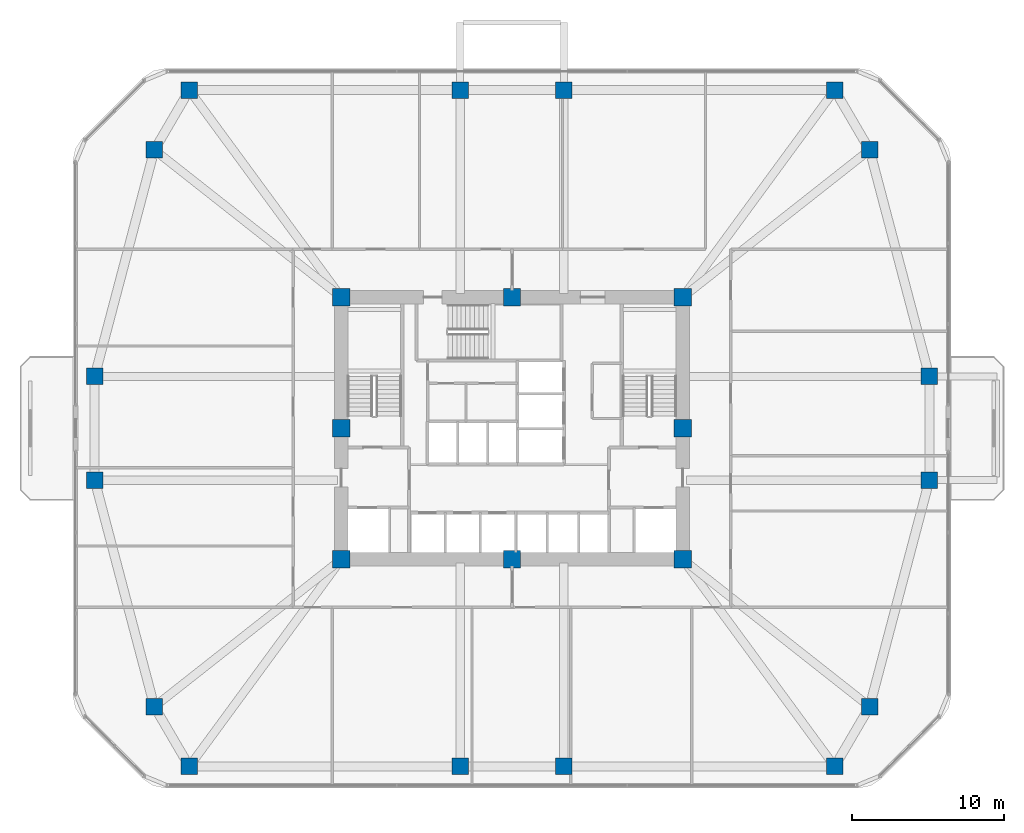
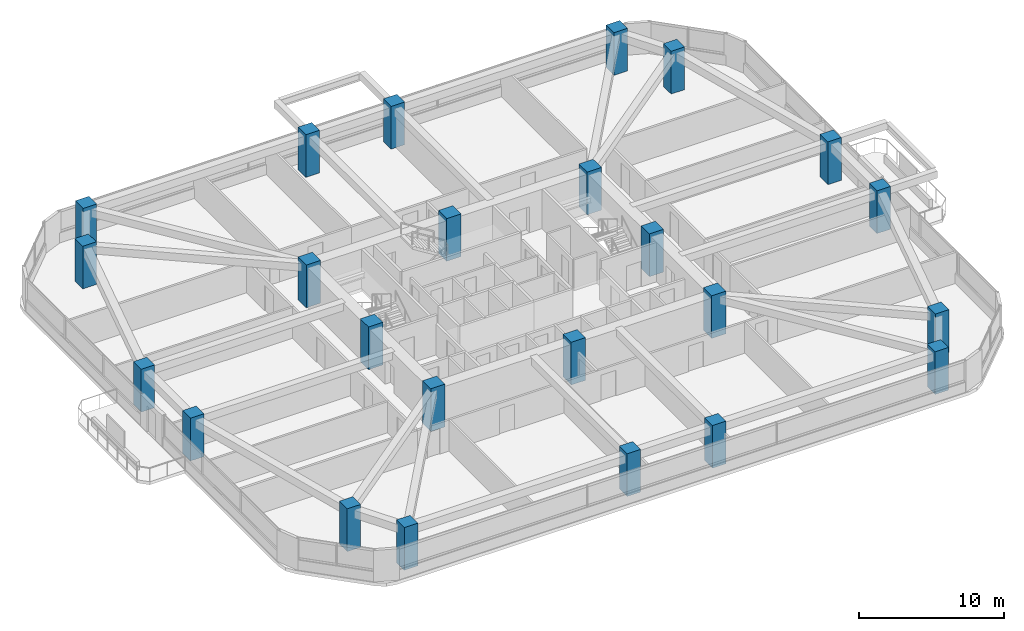
# One storey, part 1 of 15: 24 columns.
"""IFC4 building model written with IfcOpenShell, lengths in metres."""

from ifc_helpers import new_model, si_unit, derived_unit, direction, frame, origin, origin_2d, place, context, subcontext, project, spatial, rectangle, extrude, material, material_profile, profile_set, type_object, element, save


model = new_model("IFC4")

# Units and contexts
model_context = context("Model", 3, precision=1e-05, world=origin(), true_north=direction((0.0, 1.0)))
body_context = subcontext(model_context, "Body", "Model", "MODEL_VIEW")
ifc_project = project(units=[si_unit("LENGTHUNIT", "METRE"), si_unit("AREAUNIT", "SQUARE_METRE"), si_unit("VOLUMEUNIT", "CUBIC_METRE"), si_unit("PLANEANGLEUNIT", "RADIAN"), si_unit("MASSUNIT", "GRAM", prefix="KILO"), derived_unit("THERMALTRANSMITTANCEUNIT", [(si_unit("POWERUNIT", "WATT"), 1), (si_unit("LENGTHUNIT", "METRE"), -2), (si_unit("THERMODYNAMICTEMPERATUREUNIT", "KELVIN"), -1)])], contexts=[model_context])

# Site, building, storey
site_placement = place(None, origin())
site = spatial("IfcSite", under=ifc_project, at=site_placement, CompositionType="ELEMENT")
building_placement = place(site_placement, origin())
building = spatial("IfcBuilding", under=site, at=building_placement, Name="Koralith Skygarden Medical Center", CompositionType="ELEMENT")
storey_placement = place(building_placement, frame((0.0, 0.0, 56.340087890625)))
storey = spatial("IfcBuildingStorey", under=building, at=storey_placement, Name="L14", CompositionType="ELEMENT", Elevation=56.340087890625)

# Columns
ifc_material = material(Name="Concrete C70/85", Category="concrete")
ifc_material_profile_1 = material_profile(ifc_material, rectangle(XDim=1.139892578125, YDim=1.139892578125, at=origin_2d()), Name="RC1140X1140")
ifc_profile_set_1 = profile_set([ifc_material_profile_1], Name="Concrete C70/85")
column_type_1 = type_object("IfcColumnType", Name="Core Mega-Column C70 RC1140", PredefinedType="COLUMN", material=ifc_profile_set_1)
for number, where, z_axis, x_axis, name in (
    (1, (25.800048828125, 17.300048828125, 0.0), (0.0, 0.0, 1.0), (1.0, 0.0, 0.0), "L14 Core Column CC-01"),
    (2, (37.0, 17.300048828125, 0.0), (0.0, 0.0, 1.0), (1.0, 0.0, 0.0), "L14 Core Column CC-02"),
    (3, (48.199951171875, 17.300048828125, 0.0), (0.0, 0.0, 1.0), (1.0, 0.0, 0.0), "L14 Core Column CC-03"),
    (4, (48.199951171875, 25.89990234375, 0.0), (0.0, 0.0, 1.0), (1.0, 0.0, 0.0), "L14 Core Column CC-04"),
    (5, (48.199951171875, 34.5, 0.0), (0.0, 0.0, 1.0), (1.0, 0.0, 0.0), "L14 Core Column CC-05"),
    (6, (37.0, 34.5, 0.0), (0.0, 0.0, 1.0), (1.0, 0.0, 0.0), "L14 Core Column CC-06"),
    (7, (25.800048828125, 34.5, 0.0), (0.0, 0.0, 1.0), (1.0, 0.0, 0.0), "L14 Core Column CC-07"),
    (8, (25.800048828125, 25.89990234375, 0.0), (0.0, 0.0, 1.0), (1.0, 0.0, 0.0), "L14 Core Column CC-08"),
):
    element("IfcColumn", number, at=place(storey_placement, frame(where, z_axis=z_axis, x_axis=x_axis)), inside=storey, type_object=column_type_1, Name=name, PredefinedType="COLUMN", context=body_context, shape_type="SweptSolid", body=[
        extrude(rectangle(XDim=1.139892578125, YDim=1.139892578125, at=origin_2d()), origin(), (0.0, 0.0, 1.0), 3.599853515625),
    ])
ifc_material_profile_2 = material_profile(ifc_material, rectangle(XDim=1.080078125, YDim=1.080078125, at=origin_2d()), Name="RC1080X1080")
ifc_profile_set_2 = profile_set([ifc_material_profile_2], Name="Concrete C70/85")
column_type_2 = type_object("IfcColumnType", Name="Zone 1 Octagonal Mega-Column C70 RC1080", PredefinedType="COLUMN", material=ifc_profile_set_2)
for number, where, z_axis, x_axis, name in (
    (9, (9.6201171875, 22.5, 0.0), (0.0, 0.0, 1.0), (1.0, 0.0, 0.0), "L14 Perimeter Mega-Column MC-01"),
    (10, (13.5400390625, 7.639892578125, 0.0), (0.0, 0.0, 1.0), (1.0, 0.0, 0.0), "L14 Perimeter Mega-Column MC-02"),
    (11, (15.83203125, 3.719970703125, 0.0), (0.0, 0.0, 1.0), (1.0, 0.0, 0.0), "L14 Perimeter Mega-Column MC-03"),
    (12, (33.60009765625, 3.719970703125, 0.0), (0.0, 0.0, 1.0), (1.0, 0.0, 0.0), "L14 Perimeter Mega-Column MC-04"),
    (13, (40.39990234375, 3.719970703125, 0.0), (0.0, 0.0, 1.0), (1.0, 0.0, 0.0), "L14 Perimeter Mega-Column MC-05"),
    (14, (58.16796875, 3.719970703125, 0.0), (0.0, 0.0, 1.0), (1.0, 0.0, 0.0), "L14 Perimeter Mega-Column MC-06"),
    (15, (60.4599609375, 7.639892578125, 0.0), (0.0, 0.0, 1.0), (1.0, 0.0, 0.0), "L14 Perimeter Mega-Column MC-07"),
    (16, (64.3798828125, 22.5, 0.0), (0.0, 0.0, 1.0), (1.0, 0.0, 0.0), "L14 Perimeter Mega-Column MC-08"),
    (17, (64.3798828125, 29.300048828125, 0.0), (0.0, 0.0, 1.0), (1.0, 0.0, 0.0), "L14 Perimeter Mega-Column MC-09"),
    (18, (60.4599609375, 44.159912109375, 0.0), (0.0, 0.0, 1.0), (1.0, 0.0, 0.0), "L14 Perimeter Mega-Column MC-10"),
    (19, (58.16796875, 48.080078125, 0.0), (0.0, 0.0, 1.0), (1.0, 0.0, 0.0), "L14 Perimeter Mega-Column MC-11"),
    (20, (40.39990234375, 48.080078125, 0.0), (0.0, 0.0, 1.0), (1.0, 0.0, 0.0), "L14 Perimeter Mega-Column MC-12"),
    (21, (33.60009765625, 48.080078125, 0.0), (0.0, 0.0, 1.0), (1.0, 0.0, 0.0), "L14 Perimeter Mega-Column MC-13"),
    (22, (15.83203125, 48.080078125, 0.0), (0.0, 0.0, 1.0), (1.0, 0.0, 0.0), "L14 Perimeter Mega-Column MC-14"),
    (23, (13.5400390625, 44.159912109375, 0.0), (0.0, 0.0, 1.0), (1.0, 0.0, 0.0), "L14 Perimeter Mega-Column MC-15"),
    (24, (9.6201171875, 29.300048828125, 0.0), (0.0, 0.0, 1.0), (1.0, 0.0, 0.0), "L14 Perimeter Mega-Column MC-16"),
):
    element("IfcColumn", number, at=place(storey_placement, frame(where, z_axis=z_axis, x_axis=x_axis)), inside=storey, type_object=column_type_2, Name=name, PredefinedType="COLUMN", context=body_context, shape_type="SweptSolid", body=[
        extrude(rectangle(XDim=1.080078125, YDim=1.080078125, at=origin_2d()), origin(), (0.0, 0.0, 1.0), 3.599853515625),
    ])

save(model, "model.ifc")
